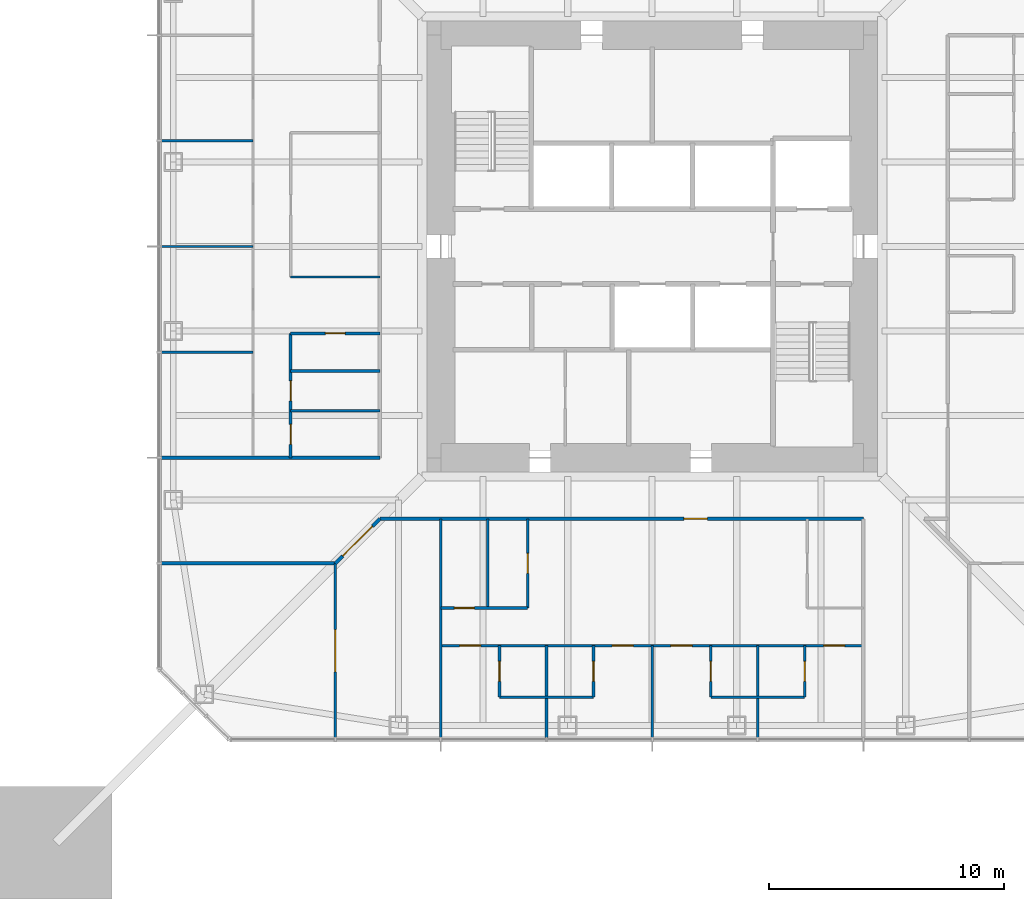
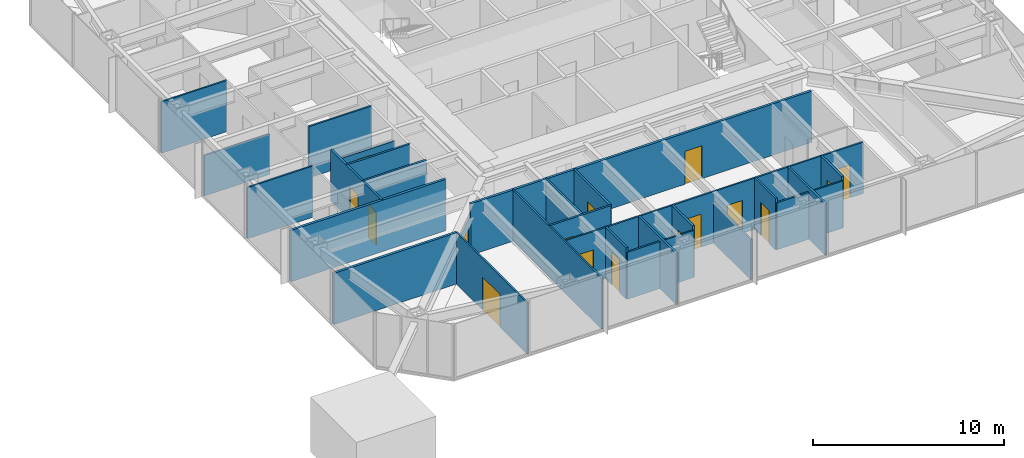
# One storey, part 13 of 25: 27 walls, 16 doors, 16 openings.
"""IFC4 building model written with IfcOpenShell, lengths in metres."""

from ifc_helpers import new_model, si_unit, direction, frame, frame_2d, origin, place, context, subcontext, project, spatial, rectangle, extrude, material, layer, layer_set, type_object, element, fill, save


model = new_model("IFC4")

# Units and contexts
model_context = context("Model", 3, precision=1e-05, world=origin(), true_north=direction((0.0, 1.0)))
body_context = subcontext(model_context, "Body", "Model", "MODEL_VIEW")
ifc_project = project(units=[si_unit("LENGTHUNIT", "METRE"), si_unit("AREAUNIT", "SQUARE_METRE"), si_unit("VOLUMEUNIT", "CUBIC_METRE"), si_unit("PLANEANGLEUNIT", "RADIAN"), si_unit("MASSUNIT", "GRAM", prefix="KILO")], contexts=[model_context])

# Site, building, storey
site_placement = place(None, origin())
site = spatial("IfcSite", under=ifc_project, at=site_placement, CompositionType="ELEMENT")
building_placement = place(site_placement, origin())
building = spatial("IfcBuilding", under=site, at=building_placement, Name="Iwan Alto Co-Living Towers", CompositionType="ELEMENT")
storey_placement = place(building_placement, frame((0.0, 0.0, 101.5)))
storey = spatial("IfcBuildingStorey", under=building, at=storey_placement, Name="L27", CompositionType="ELEMENT", Elevation=101.5)

# Wall
ifc_material_1 = material(Name="Gypsum board")
ifc_layer_1 = layer(ifc_material_1, 0.02490234375, Name="Board", Category="Finish")
ifc_material_2 = material(Name="Steel ASTM A1003 ST33H cold-formed studs", Category="steel")
ifc_layer_2 = layer(ifc_material_2, 0.10009765625, Name="Studs", Category="Framing")
ifc_layer_3 = layer(ifc_material_1, 0.02490234375, Name="Board", Category="Finish")
ifc_layer_set_1 = layer_set([ifc_layer_1, ifc_layer_2, ifc_layer_3], Name="CORRIDOR WALL 150")
wall_type_1 = type_object("IfcWallType", Name="CORRIDOR WALL 150", PredefinedType="PARTITIONING", material=ifc_layer_set_1)
wall_1_placement = place(storey_placement, frame((-20.93994140625, -13.5, 0.0), z_axis=(0.0, 0.0, 1.0), x_axis=(1.0, 0.0, 0.0)))
element("IfcWall", 1, at=wall_1_placement, inside=storey, type_object=wall_type_1, Name="Partition L27", PredefinedType="PARTITIONING", context=body_context, shape_type="SweptSolid", body=[
    extrude(rectangle(XDim=7.43994140625, YDim=0.14990234375, at=frame_2d((3.719970703125, 0.0))), origin(), (0.0, 0.0, 1.0), 3.27001953125),
])

# Wall, opening, door
wall_2_placement = place(storey_placement, frame((-11.60009765625, -11.60009765625, 0.0), z_axis=(0.0, 0.0, 1.0), x_axis=(1.0, 0.0, 0.0)))
wall_2 = element("IfcWall", 2, at=wall_2_placement, inside=storey, type_object=wall_type_1, Name="Partition L27", PredefinedType="PARTITIONING", context=body_context, shape_type="SweptSolid", body=[
    extrude(rectangle(XDim=20.60009765625, YDim=0.14990234375, at=frame_2d((10.300048828125, 0.0))), origin(), (0.0, 0.0, 1.0), 3.27001953125),
])
opening_1_placement = place(wall_2_placement, frame((12.949951171875, 0.0, 0.0)))
opening_1 = element("IfcOpeningElement", 3, at=opening_1_placement, cuts=wall_2, Name="Opening D3", PredefinedType="OPENING", context=body_context, shape_type="SweptSolid", body=[
    extrude(rectangle(XDim=1.0, YDim=2.10009765625, at=frame_2d((0.5, 1.050048828125))), frame((0.0, 0.0849609375, 0.0), z_axis=(0.0, -1.0, 0.0), x_axis=(1.0, 0.0, 0.0)), (0.0, 0.0, 1.0), 0.169921875),
])
ifc_material_3 = material(Name="Steel frame with timber leaf", Category="steel")
door_type_1 = type_object("IfcDoorType", Name="FLAT ENTRANCE DOOR FD30S 1000X2100", OperationType="SINGLE_SWING_LEFT", PredefinedType="DOOR", material=ifc_material_3)
door_1_placement = place(opening_1_placement, frame((1.0, 0.0, 0.0), z_axis=(0.0, 0.0, 1.0), x_axis=(-1.0, 0.0, 0.0)))
door_1 = element("IfcDoor", 4, at=door_1_placement, inside=storey, type_object=door_type_1, Name="Cluster lounge and shared kitchen door L27", OperationType="SINGLE_SWING_LEFT", OverallHeight=2.10009765625, OverallWidth=1.0, PredefinedType="DOOR", context=body_context, shape_type="SweptSolid", body=[
    extrude(rectangle(XDim=1.0, YDim=2.10009765625, at=frame_2d((0.5, 1.050048828125))), frame((0.0, 0.02490234375, 0.0), z_axis=(0.0, -1.0, 0.0), x_axis=(1.0, 0.0, 0.0)), (0.0, 0.0, 1.0), 0.050048828125),
])
fill(opening_1, door_1)

# Wall
wall_3_placement = place(storey_placement, frame((-20.93994140625, -9.0, 0.0), z_axis=(0.0, 0.0, 1.0), x_axis=(1.0, 0.0, 0.0)))
element("IfcWall", 5, at=wall_3_placement, inside=storey, type_object=wall_type_1, Name="Partition L27", PredefinedType="PARTITIONING", context=body_context, shape_type="SweptSolid", body=[
    extrude(rectangle(XDim=9.33984375, YDim=0.14990234375, at=frame_2d((4.669921875, 0.0))), origin(), (0.0, 0.0, 1.0), 3.27001953125),
])

# Wall, opening, door
wall_4_placement = place(storey_placement, frame((-13.5, -13.5, 0.0), z_axis=(0.0, 0.0, 1.0), x_axis=(0.707106781187, 0.707106781187, 0.0)))
wall_4 = element("IfcWall", 6, at=wall_4_placement, inside=storey, type_object=wall_type_1, Name="Partition L27", PredefinedType="PARTITIONING", context=body_context, shape_type="SweptSolid", body=[
    extrude(rectangle(XDim=2.686767578125, YDim=0.14990234375, at=frame_2d((1.34326171875, 0.0))), origin(), (0.0, 0.0, 1.0), 2.343017578125),
])
opening_2_placement = place(wall_4_placement, frame((0.444091796875, 0.0, 0.0)))
opening_2 = element("IfcOpeningElement", 7, at=opening_2_placement, cuts=wall_4, Name="Opening D9", PredefinedType="OPENING", context=body_context, shape_type="SweptSolid", body=[
    extrude(rectangle(XDim=1.800048828125, YDim=2.10009765625, at=frame_2d((0.89990234375, 1.050048828125))), frame((0.0, 0.0849609375, 0.0), z_axis=(0.0, -1.0, 0.0), x_axis=(1.0, 0.0, 0.0)), (0.0, 0.0, 1.0), 0.169921875),
])
ifc_material_4 = material(Name="Steel frame with timber leaf", Category="steel")
door_type_2 = type_object("IfcDoorType", Name="LOUNGE DOOR FD30S 1800X2100", OperationType="DOUBLE_DOOR_SINGLE_SWING", PredefinedType="DOOR", material=ifc_material_4)
door_2_placement = place(opening_2_placement, frame((1.800048828125, 0.0, 0.0), z_axis=(0.0, 0.0, 1.0), x_axis=(-1.0, 0.0, 0.0)))
door_2 = element("IfcDoor", 8, at=door_2_placement, inside=storey, type_object=door_type_2, Name="Seminar room door L27", OperationType="DOUBLE_DOOR_SINGLE_SWING", OverallHeight=2.10009765625, OverallWidth=1.800048828125, PredefinedType="DOOR", context=body_context, shape_type="SweptSolid", body=[
    extrude(rectangle(XDim=1.800048828125, YDim=2.10009765625, at=frame_2d((0.89990234375, 1.050048828125))), frame((0.0, 0.02490234375, 0.0), z_axis=(0.0, -1.0, 0.0), x_axis=(1.0, 0.0, 0.0)), (0.0, 0.0, 1.0), 0.050048828125),
])
fill(opening_2, door_2)

# Walls
ifc_layer_4 = layer(ifc_material_1, 0.012451171875, Name="Board", Category="Finish")
ifc_layer_5 = layer(ifc_material_2, 0.074951171875, Name="Studs", Category="Framing")
ifc_layer_6 = layer(ifc_material_1, 0.012451171875, Name="Board", Category="Finish")
ifc_layer_set_2 = layer_set([ifc_layer_4, ifc_layer_5, ifc_layer_6], Name="PARTITION 100")
wall_type_2 = type_object("IfcWallType", Name="PARTITION 100", PredefinedType="PARTITIONING", material=ifc_layer_set_2)
for number, where, z_axis, x_axis, name in (
    (9, (-6.5, -19.199951171875, 0.0), (0.0, 0.0, 1.0), (1.0, 0.0, 0.0), "Partition L27"),
    (10, (2.5, -19.199951171875, 0.0), (0.0, 0.0, 1.0), (1.0, 0.0, 0.0), "Partition L27"),
):
    element("IfcWall", number, at=place(storey_placement, frame(where, z_axis=z_axis, x_axis=x_axis)), inside=storey, type_object=wall_type_2, Name=name, PredefinedType="PARTITIONING", context=body_context, shape_type="SweptSolid", body=[
        extrude(rectangle(XDim=4.0, YDim=0.10009765625, at=frame_2d((2.0, 0.0))), origin(), (0.0, 0.0, 1.0), 3.0),
    ])

# Wall, openings, doors
wall_5_placement = place(storey_placement, frame((-9.0, -17.0, 0.0), z_axis=(0.0, 0.0, 1.0), x_axis=(1.0, 0.0, 0.0)))
wall_5 = element("IfcWall", 11, at=wall_5_placement, inside=storey, type_object=wall_type_2, Name="Partition L27", PredefinedType="PARTITIONING", context=body_context, shape_type="SweptSolid", body=[
    extrude(rectangle(XDim=18.0, YDim=0.10009765625, at=frame_2d((9.0, 0.0))), origin(), (0.0, 0.0, 1.0), 3.27001953125),
])
opening_3_placement = place(wall_5_placement, frame((0.800048828125, 0.0, 0.0)))
opening_3 = element("IfcOpeningElement", 12, at=opening_3_placement, cuts=wall_5, Name="Opening D1", PredefinedType="OPENING", context=body_context, shape_type="SweptSolid", body=[
    extrude(rectangle(XDim=0.89990234375, YDim=2.10009765625, at=frame_2d((0.449951171875, 1.050048828125))), frame((0.0, 0.06005859375, 0.0), z_axis=(0.0, -1.0, 0.0), x_axis=(1.0, 0.0, 0.0)), (0.0, 0.0, 1.0), 0.1201171875),
])
opening_4_placement = place(wall_5_placement, frame((7.300048828125, 0.0, 0.0)))
opening_4 = element("IfcOpeningElement", 13, at=opening_4_placement, cuts=wall_5, Name="Opening D1", PredefinedType="OPENING", context=body_context, shape_type="SweptSolid", body=[
    extrude(rectangle(XDim=0.89990234375, YDim=2.10009765625, at=frame_2d((0.449951171875, 1.050048828125))), frame((0.0, 0.06005859375, 0.0), z_axis=(0.0, -1.0, 0.0), x_axis=(1.0, 0.0, 0.0)), (0.0, 0.0, 1.0), 0.1201171875),
])
opening_5_placement = place(wall_5_placement, frame((9.800048828125, 0.0, 0.0)))
opening_5 = element("IfcOpeningElement", 14, at=opening_5_placement, cuts=wall_5, Name="Opening D1", PredefinedType="OPENING", context=body_context, shape_type="SweptSolid", body=[
    extrude(rectangle(XDim=0.89990234375, YDim=2.10009765625, at=frame_2d((0.449951171875, 1.050048828125))), frame((0.0, 0.06005859375, 0.0), z_axis=(0.0, -1.0, 0.0), x_axis=(1.0, 0.0, 0.0)), (0.0, 0.0, 1.0), 0.1201171875),
])
opening_6_placement = place(wall_5_placement, frame((16.300048828125, 0.0, 0.0)))
opening_6 = element("IfcOpeningElement", 15, at=opening_6_placement, cuts=wall_5, Name="Opening D1", PredefinedType="OPENING", context=body_context, shape_type="SweptSolid", body=[
    extrude(rectangle(XDim=0.89990234375, YDim=2.10009765625, at=frame_2d((0.449951171875, 1.050048828125))), frame((0.0, 0.06005859375, 0.0), z_axis=(0.0, -1.0, 0.0), x_axis=(1.0, 0.0, 0.0)), (0.0, 0.0, 1.0), 0.1201171875),
])
ifc_material_5 = material(Name="Timber leaf in steel frame", Category="steel")
door_type_3 = type_object("IfcDoorType", Name="BEDROOM DOOR 900X2100", OperationType="SINGLE_SWING_LEFT", PredefinedType="DOOR", material=ifc_material_5)
door_3_placement = place(opening_3_placement, origin())
door_3 = element("IfcDoor", 16, at=door_3_placement, inside=storey, type_object=door_type_3, Name="Study bedroom door L27", OperationType="SINGLE_SWING_LEFT", OverallHeight=2.10009765625, OverallWidth=0.89990234375, PredefinedType="DOOR", context=body_context, shape_type="SweptSolid", body=[
    extrude(rectangle(XDim=0.89990234375, YDim=2.10009765625, at=frame_2d((0.449951171875, 1.050048828125))), frame((0.0, 0.02490234375, 0.0), z_axis=(0.0, -1.0, 0.0), x_axis=(1.0, 0.0, 0.0)), (0.0, 0.0, 1.0), 0.050048828125),
])
fill(opening_3, door_3)
door_4_placement = place(opening_4_placement, origin())
door_4 = element("IfcDoor", 17, at=door_4_placement, inside=storey, type_object=door_type_3, Name="Study bedroom door L27", OperationType="SINGLE_SWING_LEFT", OverallHeight=2.10009765625, OverallWidth=0.89990234375, PredefinedType="DOOR", context=body_context, shape_type="SweptSolid", body=[
    extrude(rectangle(XDim=0.89990234375, YDim=2.10009765625, at=frame_2d((0.449951171875, 1.050048828125))), frame((0.0, 0.02490234375, 0.0), z_axis=(0.0, -1.0, 0.0), x_axis=(1.0, 0.0, 0.0)), (0.0, 0.0, 1.0), 0.050048828125),
])
fill(opening_4, door_4)
door_5_placement = place(opening_5_placement, origin())
door_5 = element("IfcDoor", 18, at=door_5_placement, inside=storey, type_object=door_type_3, Name="Study bedroom door L27", OperationType="SINGLE_SWING_RIGHT", OverallHeight=2.10009765625, OverallWidth=0.89990234375, PredefinedType="DOOR", context=body_context, shape_type="SweptSolid", body=[
    extrude(rectangle(XDim=0.89990234375, YDim=2.10009765625, at=frame_2d((0.449951171875, 1.050048828125))), frame((0.0, 0.02490234375, 0.0), z_axis=(0.0, -1.0, 0.0), x_axis=(1.0, 0.0, 0.0)), (0.0, 0.0, 1.0), 0.050048828125),
])
fill(opening_5, door_5)
door_6_placement = place(opening_6_placement, origin())
door_6 = element("IfcDoor", 19, at=door_6_placement, inside=storey, type_object=door_type_3, Name="Study bedroom door L27", OperationType="SINGLE_SWING_RIGHT", OverallHeight=2.10009765625, OverallWidth=0.89990234375, PredefinedType="DOOR", context=body_context, shape_type="SweptSolid", body=[
    extrude(rectangle(XDim=0.89990234375, YDim=2.10009765625, at=frame_2d((0.449951171875, 1.050048828125))), frame((0.0, 0.02490234375, 0.0), z_axis=(0.0, -1.0, 0.0), x_axis=(1.0, 0.0, 0.0)), (0.0, 0.0, 1.0), 0.050048828125),
])
fill(opening_6, door_6)

# Walls
wall_6_placement = place(storey_placement, frame((-20.93994140625, -4.5, 0.0), z_axis=(0.0, 0.0, 1.0), x_axis=(1.0, 0.0, 0.0)))
element("IfcWall", 20, at=wall_6_placement, inside=storey, type_object=wall_type_2, Name="Partition L27", PredefinedType="PARTITIONING", context=body_context, shape_type="SweptSolid", body=[
    extrude(rectangle(XDim=3.93994140625, YDim=0.10009765625, at=frame_2d((1.969970703125, 0.0))), origin(), (0.0, 0.0, 1.0), 3.27001953125),
])
wall_7_placement = place(storey_placement, frame((-15.39990234375, -1.300048828125, 0.0), z_axis=(0.0, 0.0, 1.0), x_axis=(1.0, 0.0, 0.0)))
element("IfcWall", 21, at=wall_7_placement, inside=storey, type_object=wall_type_2, Name="Partition L27", PredefinedType="PARTITIONING", context=body_context, shape_type="SweptSolid", body=[
    extrude(rectangle(XDim=3.7998046875, YDim=0.10009765625, at=frame_2d((1.89990234375, 0.0))), origin(), (0.0, 0.0, 1.0), 3.27001953125),
])
wall_8_placement = place(storey_placement, frame((-20.93994140625, 0.0, 0.0), z_axis=(0.0, 0.0, 1.0), x_axis=(1.0, 0.0, 0.0)))
element("IfcWall", 22, at=wall_8_placement, inside=storey, type_object=wall_type_2, Name="Partition L27", PredefinedType="PARTITIONING", context=body_context, shape_type="SweptSolid", body=[
    extrude(rectangle(XDim=3.93994140625, YDim=0.10009765625, at=frame_2d((1.969970703125, 0.0))), origin(), (0.0, 0.0, 1.0), 2.586669921875),
])
wall_9_placement = place(storey_placement, frame((-20.93994140625, 4.5, 0.0), z_axis=(0.0, 0.0, 1.0), x_axis=(1.0, 0.0, 0.0)))
element("IfcWall", 23, at=wall_9_placement, inside=storey, type_object=wall_type_2, Name="Partition L27", PredefinedType="PARTITIONING", context=body_context, shape_type="SweptSolid", body=[
    extrude(rectangle(XDim=3.93994140625, YDim=0.10009765625, at=frame_2d((1.969970703125, 0.0))), origin(), (0.0, 0.0, 1.0), 3.27001953125),
])
wall_10_placement = place(storey_placement, frame((0.0, -20.93994140625, 0.0), z_axis=(0.0, 0.0, 1.0), x_axis=(0.0, 1.0, 0.0)))
element("IfcWall", 24, at=wall_10_placement, inside=storey, type_object=wall_type_2, Name="Partition L27", PredefinedType="PARTITIONING", context=body_context, shape_type="SweptSolid", body=[
    extrude(rectangle(XDim=3.93994140625, YDim=0.10009765625, at=frame_2d((1.969970703125, 0.0))), origin(), (0.0, 0.0, 1.0), 2.586669921875),
])
wall_11_placement = place(storey_placement, frame((-9.0, -20.93994140625, 0.0), z_axis=(0.0, 0.0, 1.0), x_axis=(0.0, 1.0, 0.0)))
element("IfcWall", 25, at=wall_11_placement, inside=storey, type_object=wall_type_2, Name="Partition L27", PredefinedType="PARTITIONING", context=body_context, shape_type="SweptSolid", body=[
    extrude(rectangle(XDim=9.33984375, YDim=0.10009765625, at=frame_2d((4.669921875, 0.0))), origin(), (0.0, 0.0, 1.0), 3.27001953125),
])

# Wall, opening, door
wall_12_placement = place(storey_placement, frame((-13.5, -20.93994140625, 0.0), z_axis=(0.0, 0.0, 1.0), x_axis=(0.0, 1.0, 0.0)))
wall_12 = element("IfcWall", 26, at=wall_12_placement, inside=storey, type_object=wall_type_2, Name="Partition L27", PredefinedType="PARTITIONING", context=body_context, shape_type="SweptSolid", body=[
    extrude(rectangle(XDim=7.43994140625, YDim=0.10009765625, at=frame_2d((3.719970703125, 0.0))), origin(), (0.0, 0.0, 1.0), 3.27001953125),
])
opening_7_placement = place(wall_12_placement, frame((2.820068359375, 0.0, 0.0)))
opening_7 = element("IfcOpeningElement", 27, at=opening_7_placement, cuts=wall_12, Name="Opening D14", PredefinedType="OPENING", context=body_context, shape_type="SweptSolid", body=[
    extrude(rectangle(XDim=1.800048828125, YDim=2.10009765625, at=frame_2d((0.89990234375, 1.050048828125))), frame((0.0, 0.06005859375, 0.0), z_axis=(0.0, -1.0, 0.0), x_axis=(1.0, 0.0, 0.0)), (0.0, 0.0, 1.0), 0.1201171875),
])
ifc_material_6 = material(Name="Timber leaf in steel frame", Category="steel")
door_type_4 = type_object("IfcDoorType", Name="LOUNGE DOOR 1800X2100", OperationType="DOUBLE_DOOR_SINGLE_SWING", PredefinedType="DOOR", material=ifc_material_6)
door_7_placement = place(opening_7_placement, origin())
door_7 = element("IfcDoor", 28, at=door_7_placement, inside=storey, type_object=door_type_4, Name="Courtyard lounge door L27", OperationType="DOUBLE_DOOR_SINGLE_SWING", OverallHeight=2.10009765625, OverallWidth=1.800048828125, PredefinedType="DOOR", context=body_context, shape_type="SweptSolid", body=[
    extrude(rectangle(XDim=1.800048828125, YDim=2.10009765625, at=frame_2d((0.89990234375, 1.050048828125))), frame((0.0, 0.02490234375, 0.0), z_axis=(0.0, -1.0, 0.0), x_axis=(1.0, 0.0, 0.0)), (0.0, 0.0, 1.0), 0.050048828125),
])
fill(opening_7, door_7)

ifc_material_7 = material(Name="Cement board")
ifc_layer_7 = layer(ifc_material_7, 0.012451171875, Name="Board", Category="Finish")
ifc_layer_8 = layer(ifc_material_2, 0.094970703125, Name="Studs", Category="Framing")
ifc_layer_9 = layer(ifc_material_7, 0.012451171875, Name="Board", Category="Finish")
ifc_layer_set_3 = layer_set([ifc_layer_7, ifc_layer_8, ifc_layer_9], Name="WET AREA PARTITION 120")
wall_type_3 = type_object("IfcWallType", Name="WET AREA PARTITION 120", PredefinedType="PARTITIONING", material=ifc_layer_set_3)
wall_13_placement = place(storey_placement, frame((-9.0, -15.39990234375, 0.0), z_axis=(0.0, 0.0, 1.0), x_axis=(1.0, 0.0, 0.0)))
wall_13 = element("IfcWall", 29, at=wall_13_placement, inside=storey, type_object=wall_type_3, Name="Partition L27", PredefinedType="PARTITIONING", context=body_context, shape_type="SweptSolid", body=[
    extrude(rectangle(XDim=3.699951171875, YDim=0.1201171875, at=frame_2d((1.85009765625, 0.0))), origin(), (0.0, 0.0, 1.0), 3.27001953125),
])
opening_8_placement = place(wall_13_placement, frame((0.574951171875, 0.0, 0.0)))
opening_8 = element("IfcOpeningElement", 30, at=opening_8_placement, cuts=wall_13, Name="Opening D2", PredefinedType="OPENING", context=body_context, shape_type="SweptSolid", body=[
    extrude(rectangle(XDim=0.85009765625, YDim=2.10009765625, at=frame_2d((0.425048828125, 1.050048828125))), frame((0.0, 0.070068359375, 0.0), z_axis=(0.0, -1.0, 0.0), x_axis=(1.0, 0.0, 0.0)), (0.0, 0.0, 1.0), 0.14013671875),
])
ifc_material_8 = material(Name="Timber leaf in steel frame", Category="steel")
door_type_5 = type_object("IfcDoorType", Name="ROOM DOOR 850X2100", OperationType="SINGLE_SWING_LEFT", PredefinedType="DOOR", material=ifc_material_8)
door_8_placement = place(opening_8_placement, frame((0.85009765625, 0.0, 0.0), z_axis=(0.0, 0.0, 1.0), x_axis=(-1.0, 0.0, 0.0)))
door_8 = element("IfcDoor", 31, at=door_8_placement, inside=storey, type_object=door_type_5, Name="Laundry door L27", OperationType="SINGLE_SWING_RIGHT", OverallHeight=2.10009765625, OverallWidth=0.85009765625, PredefinedType="DOOR", context=body_context, shape_type="SweptSolid", body=[
    extrude(rectangle(XDim=0.85009765625, YDim=2.10009765625, at=frame_2d((0.425048828125, 1.050048828125))), frame((0.0, 0.02490234375, 0.0), z_axis=(0.0, -1.0, 0.0), x_axis=(1.0, 0.0, 0.0)), (0.0, 0.0, 1.0), 0.050048828125),
])
fill(opening_8, door_8)

# Walls
for number, where, z_axis, x_axis, name in (
    (32, (-15.39990234375, -7.0, 0.0), (0.0, 0.0, 1.0), (1.0, 0.0, 0.0), "Partition L27"),
    (33, (-15.39990234375, -5.300048828125, 0.0), (0.0, 0.0, 1.0), (1.0, 0.0, 0.0), "Partition L27"),
):
    element("IfcWall", number, at=place(storey_placement, frame(where, z_axis=z_axis, x_axis=x_axis)), inside=storey, type_object=wall_type_3, Name=name, PredefinedType="PARTITIONING", context=body_context, shape_type="SweptSolid", body=[
        extrude(rectangle(XDim=3.7998046875, YDim=0.1201171875, at=frame_2d((1.89990234375, 0.0))), origin(), (0.0, 0.0, 1.0), 3.27001953125),
    ])

# Wall, opening, door
wall_14_placement = place(storey_placement, frame((-15.39990234375, -3.699951171875, 0.0), z_axis=(0.0, 0.0, 1.0), x_axis=(1.0, 0.0, 0.0)))
wall_14 = element("IfcWall", 34, at=wall_14_placement, inside=storey, type_object=wall_type_3, Name="Partition L27", PredefinedType="PARTITIONING", context=body_context, shape_type="SweptSolid", body=[
    extrude(rectangle(XDim=3.7998046875, YDim=0.1201171875, at=frame_2d((1.89990234375, 0.0))), origin(), (0.0, 0.0, 1.0), 2.508056640625),
])
opening_9_placement = place(wall_14_placement, frame((1.47509765625, 0.0, 0.0)))
opening_9 = element("IfcOpeningElement", 35, at=opening_9_placement, cuts=wall_14, Name="Opening D2", PredefinedType="OPENING", context=body_context, shape_type="SweptSolid", body=[
    extrude(rectangle(XDim=0.85009765625, YDim=2.10009765625, at=frame_2d((0.425048828125, 1.050048828125))), frame((0.0, 0.070068359375, 0.0), z_axis=(0.0, -1.0, 0.0), x_axis=(1.0, 0.0, 0.0)), (0.0, 0.0, 1.0), 0.14013671875),
])
door_9_placement = place(opening_9_placement, origin())
door_9 = element("IfcDoor", 36, at=door_9_placement, inside=storey, type_object=door_type_5, Name="Bathroom door L27", OperationType="SINGLE_SWING_RIGHT", OverallHeight=2.10009765625, OverallWidth=0.85009765625, PredefinedType="DOOR", context=body_context, shape_type="SweptSolid", body=[
    extrude(rectangle(XDim=0.85009765625, YDim=2.10009765625, at=frame_2d((0.425048828125, 1.050048828125))), frame((0.0, 0.02490234375, 0.0), z_axis=(0.0, -1.0, 0.0), x_axis=(1.0, 0.0, 0.0)), (0.0, 0.0, 1.0), 0.050048828125),
])
fill(opening_9, door_9)

wall_15_placement = place(storey_placement, frame((6.5, -19.199951171875, 0.0), z_axis=(0.0, 0.0, 1.0), x_axis=(0.0, 1.0, 0.0)))
wall_15 = element("IfcWall", 37, at=wall_15_placement, inside=storey, type_object=wall_type_3, Name="Partition L27", PredefinedType="PARTITIONING", context=body_context, shape_type="SweptSolid", body=[
    extrude(rectangle(XDim=2.199951171875, YDim=0.1201171875, at=frame_2d((1.10009765625, 0.0))), origin(), (0.0, 0.0, 1.0), 3.27001953125),
])
opening_10_placement = place(wall_15_placement, frame((0.675048828125, 0.0, 0.0)))
opening_10 = element("IfcOpeningElement", 38, at=opening_10_placement, cuts=wall_15, Name="Opening D2", PredefinedType="OPENING", context=body_context, shape_type="SweptSolid", body=[
    extrude(rectangle(XDim=0.85009765625, YDim=2.10009765625, at=frame_2d((0.425048828125, 1.050048828125))), frame((0.0, 0.070068359375, 0.0), z_axis=(0.0, -1.0, 0.0), x_axis=(1.0, 0.0, 0.0)), (0.0, 0.0, 1.0), 0.14013671875),
])
door_10_placement = place(opening_10_placement, frame((0.85009765625, 0.0, 0.0), z_axis=(0.0, 0.0, 1.0), x_axis=(-1.0, 0.0, 0.0)))
door_10 = element("IfcDoor", 39, at=door_10_placement, inside=storey, type_object=door_type_5, Name="En-suite shower room door L27", OperationType="SINGLE_SWING_LEFT", OverallHeight=2.10009765625, OverallWidth=0.85009765625, PredefinedType="DOOR", context=body_context, shape_type="SweptSolid", body=[
    extrude(rectangle(XDim=0.85009765625, YDim=2.10009765625, at=frame_2d((0.425048828125, 1.050048828125))), frame((0.0, 0.02490234375, 0.0), z_axis=(0.0, -1.0, 0.0), x_axis=(1.0, 0.0, 0.0)), (0.0, 0.0, 1.0), 0.050048828125),
])
fill(opening_10, door_10)

# Wall
wall_16_placement = place(storey_placement, frame((4.5, -20.93994140625, 0.0), z_axis=(0.0, 0.0, 1.0), x_axis=(0.0, 1.0, 0.0)))
element("IfcWall", 40, at=wall_16_placement, inside=storey, type_object=wall_type_3, Name="Partition L27", PredefinedType="PARTITIONING", context=body_context, shape_type="SweptSolid", body=[
    extrude(rectangle(XDim=3.93994140625, YDim=0.1201171875, at=frame_2d((1.969970703125, 0.0))), origin(), (0.0, 0.0, 1.0), 3.27001953125),
])

# Wall, opening, door
wall_17_placement = place(storey_placement, frame((2.5, -19.199951171875, 0.0), z_axis=(0.0, 0.0, 1.0), x_axis=(0.0, 1.0, 0.0)))
wall_17 = element("IfcWall", 41, at=wall_17_placement, inside=storey, type_object=wall_type_3, Name="Partition L27", PredefinedType="PARTITIONING", context=body_context, shape_type="SweptSolid", body=[
    extrude(rectangle(XDim=2.199951171875, YDim=0.1201171875, at=frame_2d((1.10009765625, 0.0))), origin(), (0.0, 0.0, 1.0), 3.27001953125),
])
opening_11_placement = place(wall_17_placement, frame((0.675048828125, 0.0, 0.0)))
opening_11 = element("IfcOpeningElement", 42, at=opening_11_placement, cuts=wall_17, Name="Opening D2", PredefinedType="OPENING", context=body_context, shape_type="SweptSolid", body=[
    extrude(rectangle(XDim=0.85009765625, YDim=2.10009765625, at=frame_2d((0.425048828125, 1.050048828125))), frame((0.0, 0.070068359375, 0.0), z_axis=(0.0, -1.0, 0.0), x_axis=(1.0, 0.0, 0.0)), (0.0, 0.0, 1.0), 0.14013671875),
])
door_11_placement = place(opening_11_placement, origin())
door_11 = element("IfcDoor", 43, at=door_11_placement, inside=storey, type_object=door_type_5, Name="En-suite shower room door L27", OperationType="SINGLE_SWING_RIGHT", OverallHeight=2.10009765625, OverallWidth=0.85009765625, PredefinedType="DOOR", context=body_context, shape_type="SweptSolid", body=[
    extrude(rectangle(XDim=0.85009765625, YDim=2.10009765625, at=frame_2d((0.425048828125, 1.050048828125))), frame((0.0, 0.02490234375, 0.0), z_axis=(0.0, -1.0, 0.0), x_axis=(1.0, 0.0, 0.0)), (0.0, 0.0, 1.0), 0.050048828125),
])
fill(opening_11, door_11)

wall_18_placement = place(storey_placement, frame((-2.5, -19.199951171875, 0.0), z_axis=(0.0, 0.0, 1.0), x_axis=(0.0, 1.0, 0.0)))
wall_18 = element("IfcWall", 44, at=wall_18_placement, inside=storey, type_object=wall_type_3, Name="Partition L27", PredefinedType="PARTITIONING", context=body_context, shape_type="SweptSolid", body=[
    extrude(rectangle(XDim=2.199951171875, YDim=0.1201171875, at=frame_2d((1.10009765625, 0.0))), origin(), (0.0, 0.0, 1.0), 3.27001953125),
])
opening_12_placement = place(wall_18_placement, frame((0.675048828125, 0.0, 0.0)))
opening_12 = element("IfcOpeningElement", 45, at=opening_12_placement, cuts=wall_18, Name="Opening D2", PredefinedType="OPENING", context=body_context, shape_type="SweptSolid", body=[
    extrude(rectangle(XDim=0.85009765625, YDim=2.10009765625, at=frame_2d((0.425048828125, 1.050048828125))), frame((0.0, 0.070068359375, 0.0), z_axis=(0.0, -1.0, 0.0), x_axis=(1.0, 0.0, 0.0)), (0.0, 0.0, 1.0), 0.14013671875),
])
door_12_placement = place(opening_12_placement, frame((0.85009765625, 0.0, 0.0), z_axis=(0.0, 0.0, 1.0), x_axis=(-1.0, 0.0, 0.0)))
door_12 = element("IfcDoor", 46, at=door_12_placement, inside=storey, type_object=door_type_5, Name="En-suite shower room door L27", OperationType="SINGLE_SWING_LEFT", OverallHeight=2.10009765625, OverallWidth=0.85009765625, PredefinedType="DOOR", context=body_context, shape_type="SweptSolid", body=[
    extrude(rectangle(XDim=0.85009765625, YDim=2.10009765625, at=frame_2d((0.425048828125, 1.050048828125))), frame((0.0, 0.02490234375, 0.0), z_axis=(0.0, -1.0, 0.0), x_axis=(1.0, 0.0, 0.0)), (0.0, 0.0, 1.0), 0.050048828125),
])
fill(opening_12, door_12)

# Wall
wall_19_placement = place(storey_placement, frame((-4.5, -20.93994140625, 0.0), z_axis=(0.0, 0.0, 1.0), x_axis=(0.0, 1.0, 0.0)))
element("IfcWall", 47, at=wall_19_placement, inside=storey, type_object=wall_type_3, Name="Partition L27", PredefinedType="PARTITIONING", context=body_context, shape_type="SweptSolid", body=[
    extrude(rectangle(XDim=3.93994140625, YDim=0.1201171875, at=frame_2d((1.969970703125, 0.0))), origin(), (0.0, 0.0, 1.0), 3.27001953125),
])

# Wall, opening, door
wall_20_placement = place(storey_placement, frame((-5.300048828125, -15.39990234375, 0.0), z_axis=(0.0, 0.0, 1.0), x_axis=(0.0, 1.0, 0.0)))
wall_20 = element("IfcWall", 48, at=wall_20_placement, inside=storey, type_object=wall_type_3, Name="Partition L27", PredefinedType="PARTITIONING", context=body_context, shape_type="SweptSolid", body=[
    extrude(rectangle(XDim=3.7998046875, YDim=0.1201171875, at=frame_2d((1.89990234375, 0.0))), origin(), (0.0, 0.0, 1.0), 3.27001953125),
])
opening_13_placement = place(wall_20_placement, frame((1.47509765625, 0.0, 0.0)))
opening_13 = element("IfcOpeningElement", 49, at=opening_13_placement, cuts=wall_20, Name="Opening D2", PredefinedType="OPENING", context=body_context, shape_type="SweptSolid", body=[
    extrude(rectangle(XDim=0.85009765625, YDim=2.10009765625, at=frame_2d((0.425048828125, 1.050048828125))), frame((0.0, 0.070068359375, 0.0), z_axis=(0.0, -1.0, 0.0), x_axis=(1.0, 0.0, 0.0)), (0.0, 0.0, 1.0), 0.14013671875),
])
door_13_placement = place(opening_13_placement, frame((0.85009765625, 0.0, 0.0), z_axis=(0.0, 0.0, 1.0), x_axis=(-1.0, 0.0, 0.0)))
door_13 = element("IfcDoor", 50, at=door_13_placement, inside=storey, type_object=door_type_5, Name="Bathroom door L27", OperationType="SINGLE_SWING_LEFT", OverallHeight=2.10009765625, OverallWidth=0.85009765625, PredefinedType="DOOR", context=body_context, shape_type="SweptSolid", body=[
    extrude(rectangle(XDim=0.85009765625, YDim=2.10009765625, at=frame_2d((0.425048828125, 1.050048828125))), frame((0.0, 0.02490234375, 0.0), z_axis=(0.0, -1.0, 0.0), x_axis=(1.0, 0.0, 0.0)), (0.0, 0.0, 1.0), 0.050048828125),
])
fill(opening_13, door_13)

wall_21_placement = place(storey_placement, frame((-6.5, -19.199951171875, 0.0), z_axis=(0.0, 0.0, 1.0), x_axis=(0.0, 1.0, 0.0)))
wall_21 = element("IfcWall", 51, at=wall_21_placement, inside=storey, type_object=wall_type_3, Name="Partition L27", PredefinedType="PARTITIONING", context=body_context, shape_type="SweptSolid", body=[
    extrude(rectangle(XDim=2.199951171875, YDim=0.1201171875, at=frame_2d((1.10009765625, 0.0))), origin(), (0.0, 0.0, 1.0), 3.27001953125),
])
opening_14_placement = place(wall_21_placement, frame((0.675048828125, 0.0, 0.0)))
opening_14 = element("IfcOpeningElement", 52, at=opening_14_placement, cuts=wall_21, Name="Opening D2", PredefinedType="OPENING", context=body_context, shape_type="SweptSolid", body=[
    extrude(rectangle(XDim=0.85009765625, YDim=2.10009765625, at=frame_2d((0.425048828125, 1.050048828125))), frame((0.0, 0.070068359375, 0.0), z_axis=(0.0, -1.0, 0.0), x_axis=(1.0, 0.0, 0.0)), (0.0, 0.0, 1.0), 0.14013671875),
])
door_14_placement = place(opening_14_placement, origin())
door_14 = element("IfcDoor", 53, at=door_14_placement, inside=storey, type_object=door_type_5, Name="En-suite shower room door L27", OperationType="SINGLE_SWING_RIGHT", OverallHeight=2.10009765625, OverallWidth=0.85009765625, PredefinedType="DOOR", context=body_context, shape_type="SweptSolid", body=[
    extrude(rectangle(XDim=0.85009765625, YDim=2.10009765625, at=frame_2d((0.425048828125, 1.050048828125))), frame((0.0, 0.02490234375, 0.0), z_axis=(0.0, -1.0, 0.0), x_axis=(1.0, 0.0, 0.0)), (0.0, 0.0, 1.0), 0.050048828125),
])
fill(opening_14, door_14)

# Wall
wall_22_placement = place(storey_placement, frame((-7.0, -15.39990234375, 0.0), z_axis=(0.0, 0.0, 1.0), x_axis=(0.0, 1.0, 0.0)))
element("IfcWall", 54, at=wall_22_placement, inside=storey, type_object=wall_type_3, Name="Partition L27", PredefinedType="PARTITIONING", context=body_context, shape_type="SweptSolid", body=[
    extrude(rectangle(XDim=3.7998046875, YDim=0.1201171875, at=frame_2d((1.89990234375, 0.0))), origin(), (0.0, 0.0, 1.0), 3.27001953125),
])

# Wall, openings, doors
wall_23_placement = place(storey_placement, frame((-15.39990234375, -9.0, 0.0), z_axis=(0.0, 0.0, 1.0), x_axis=(0.0, 1.0, 0.0)))
wall_23 = element("IfcWall", 55, at=wall_23_placement, inside=storey, type_object=wall_type_3, Name="Partition L27", PredefinedType="PARTITIONING", context=body_context, shape_type="SweptSolid", body=[
    extrude(rectangle(XDim=5.300048828125, YDim=0.1201171875, at=frame_2d((2.64990234375, 0.0))), origin(), (0.0, 0.0, 1.0), 3.27001953125),
])
opening_15_placement = place(wall_23_placement, frame((2.425048828125, 0.0, 0.0)))
opening_15 = element("IfcOpeningElement", 56, at=opening_15_placement, cuts=wall_23, Name="Opening D2", PredefinedType="OPENING", context=body_context, shape_type="SweptSolid", body=[
    extrude(rectangle(XDim=0.85009765625, YDim=2.10009765625, at=frame_2d((0.425048828125, 1.050048828125))), frame((0.0, 0.070068359375, 0.0), z_axis=(0.0, -1.0, 0.0), x_axis=(1.0, 0.0, 0.0)), (0.0, 0.0, 1.0), 0.14013671875),
])
opening_16_placement = place(wall_23_placement, frame((0.574951171875, 0.0, 0.0)))
opening_16 = element("IfcOpeningElement", 57, at=opening_16_placement, cuts=wall_23, Name="Opening D2", PredefinedType="OPENING", context=body_context, shape_type="SweptSolid", body=[
    extrude(rectangle(XDim=0.85009765625, YDim=2.10009765625, at=frame_2d((0.425048828125, 1.050048828125))), frame((0.0, 0.070068359375, 0.0), z_axis=(0.0, -1.0, 0.0), x_axis=(1.0, 0.0, 0.0)), (0.0, 0.0, 1.0), 0.14013671875),
])
door_15_placement = place(opening_15_placement, origin())
door_15 = element("IfcDoor", 58, at=door_15_placement, inside=storey, type_object=door_type_5, Name="Bathroom door L27", OperationType="SINGLE_SWING_LEFT", OverallHeight=2.10009765625, OverallWidth=0.85009765625, PredefinedType="DOOR", context=body_context, shape_type="SweptSolid", body=[
    extrude(rectangle(XDim=0.85009765625, YDim=2.10009765625, at=frame_2d((0.425048828125, 1.050048828125))), frame((0.0, 0.02490234375, 0.0), z_axis=(0.0, -1.0, 0.0), x_axis=(1.0, 0.0, 0.0)), (0.0, 0.0, 1.0), 0.050048828125),
])
fill(opening_15, door_15)
door_16_placement = place(opening_16_placement, origin())
door_16 = element("IfcDoor", 59, at=door_16_placement, inside=storey, type_object=door_type_5, Name="Laundry door L27", OperationType="SINGLE_SWING_LEFT", OverallHeight=2.10009765625, OverallWidth=0.85009765625, PredefinedType="DOOR", context=body_context, shape_type="SweptSolid", body=[
    extrude(rectangle(XDim=0.85009765625, YDim=2.10009765625, at=frame_2d((0.425048828125, 1.050048828125))), frame((0.0, 0.02490234375, 0.0), z_axis=(0.0, -1.0, 0.0), x_axis=(1.0, 0.0, 0.0)), (0.0, 0.0, 1.0), 0.050048828125),
])
fill(opening_16, door_16)

save(model, "model.ifc")
